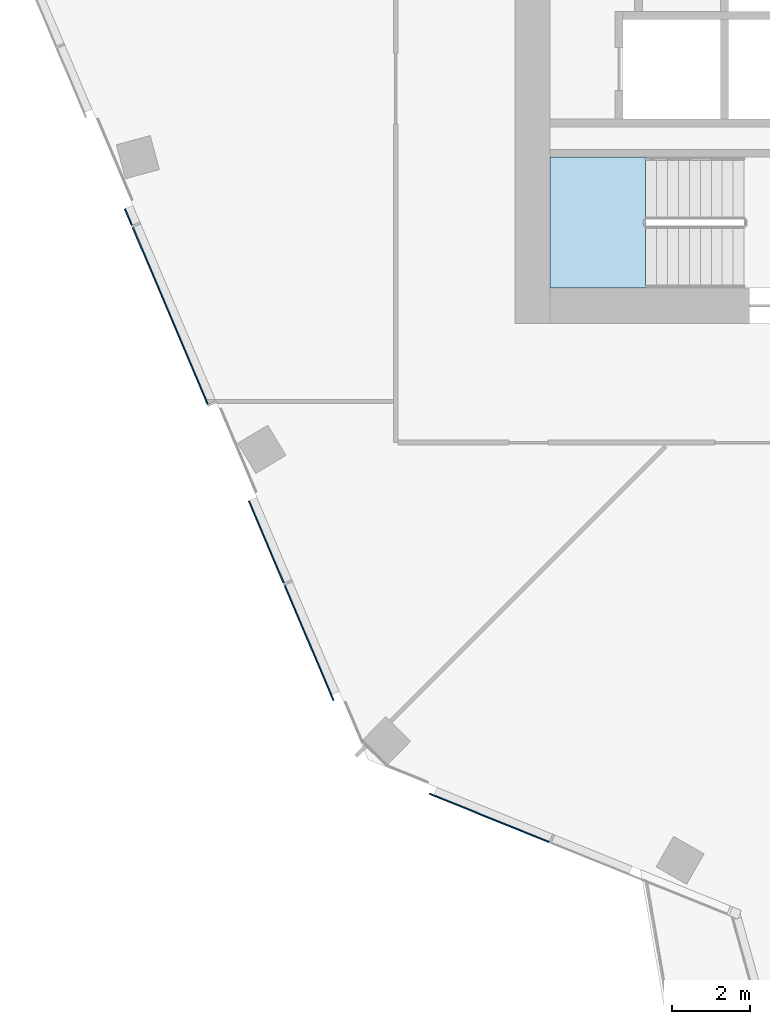
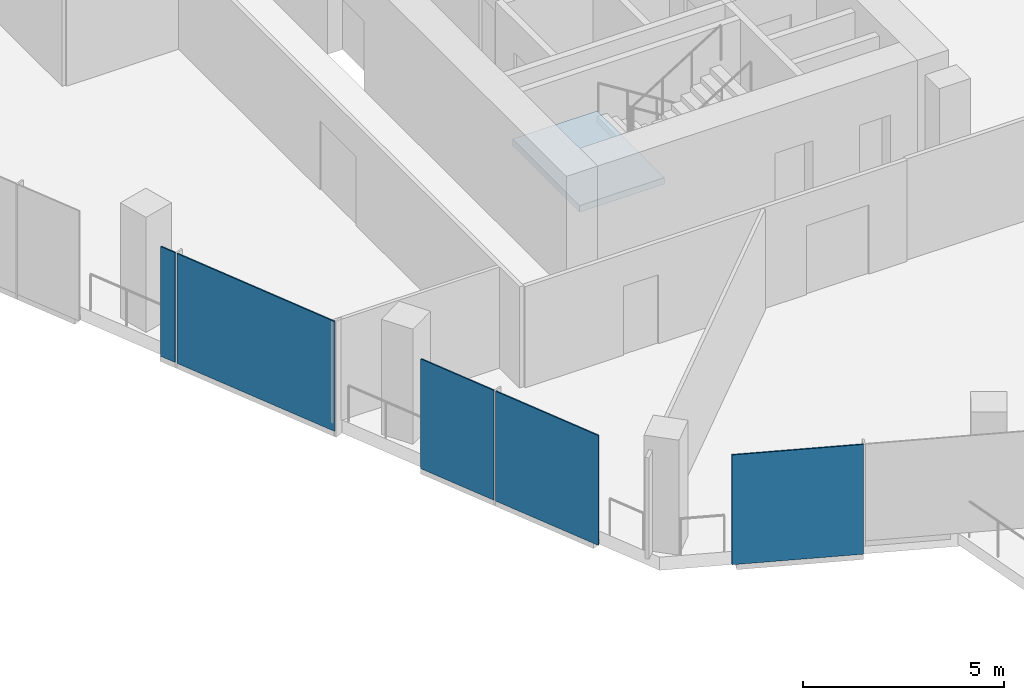
# One storey, part 12 of 26: 5 plates, 1 slab, 3 elements without a shape of their own.
"""IFC4 building model written with IfcOpenShell, lengths in metres."""

from ifc_helpers import new_model, si_unit, direction, frame, origin, origin_2d, place, context, subcontext, project, spatial, polyline, rectangle, outline, extrude, material, layer, layer_set, type_object, element, aggregate, save


model = new_model("IFC4")

# Units and contexts
model_context = context("Model", 3, precision=1e-05, world=origin(), true_north=direction((0.0, 1.0)))
body_context = subcontext(model_context, "Body", "Model", "MODEL_VIEW")
ifc_project = project(units=[si_unit("LENGTHUNIT", "METRE"), si_unit("AREAUNIT", "SQUARE_METRE"), si_unit("VOLUMEUNIT", "CUBIC_METRE"), si_unit("PLANEANGLEUNIT", "RADIAN"), si_unit("MASSUNIT", "GRAM", prefix="KILO")], contexts=[model_context])

# Site, building, storey
site_placement = place(None, origin())
site = spatial("IfcSite", under=ifc_project, at=site_placement, CompositionType="ELEMENT")
building_placement = place(site_placement, origin())
building = spatial("IfcBuilding", under=site, at=building_placement, Name="Orlundy Tower", CompositionType="ELEMENT")
storey_placement = place(building_placement, frame((0.0, 0.0, 275.39990234375)))
storey = spatial("IfcBuildingStorey", under=building, at=storey_placement, Name="L73", CompositionType="ELEMENT", Elevation=275.39990234375)

# Curtain wall, plate
ifc_material_1 = material(Name="Aluminium bronze anodised", Category="aluminium")
curtain_wall_type = type_object("IfcCurtainWallType", Name="CW6 wall", PredefinedType="NOTDEFINED", material=ifc_material_1)
curtain_wall_1_placement = place(storey_placement, origin())
curtain_wall_1 = element("IfcCurtainWall", 1, at=curtain_wall_1_placement, inside=storey, type_object=curtain_wall_type, Name="CW6 run 013", PredefinedType="NOTDEFINED")
ifc_material_2 = material(Name="Tinted glass", Category="glass")
ifc_layer_1 = layer(ifc_material_2, 0.035888671875)
ifc_layer_set_1 = layer_set([ifc_layer_1], Name="CW6 glass panel 36")
plate_type = type_object("IfcPlateType", Name="CW6 glass panel 36", PredefinedType="CURTAIN_PANEL", material=ifc_layer_set_1)
plate_1_placement = place(storey_placement, frame((-19.65478515625, -24.654541015625, -0.23974609375), z_axis=(0.0, 0.0, 1.0), x_axis=(-0.927218353808, 0.374521193474, 0.0)))
plate_1 = element("IfcPlate", 2, at=plate_1_placement, type_object=plate_type, Name="CW6 panel", PredefinedType="CURTAIN_PANEL", context=body_context, shape_type="SweptSolid", body=[
    extrude(rectangle(XDim=3.31005859375, YDim=0.035888671875, at=origin_2d()), origin(), (0.0, 0.0, 1.0), 3.340087890625),
])
aggregate(curtain_wall_1, [plate_1])

# Curtain wall, plates
curtain_wall_2_placement = place(storey_placement, origin())
curtain_wall_2 = element("IfcCurtainWall", 3, at=curtain_wall_2_placement, inside=storey, type_object=curtain_wall_type, Name="CW6 run 014", PredefinedType="NOTDEFINED")
plate_2_placement = place(storey_placement, frame((-24.269775390625, -20.17236328125, -0.23974609375), z_axis=(0.0, 0.0, 1.0), x_axis=(-0.390726531244, 0.920506804854, 0.0)))
plate_2 = element("IfcPlate", 4, at=plate_2_placement, type_object=plate_type, Name="CW6 panel", PredefinedType="CURTAIN_PANEL", context=body_context, shape_type="SweptSolid", body=[
    extrude(rectangle(XDim=3.20947265625, YDim=0.035888671875, at=origin_2d()), origin(), (0.0, 0.0, 1.0), 3.340087890625),
])
plate_3_placement = place(storey_placement, frame((-25.36181640625, -17.599365234375, -0.23974609375), z_axis=(0.0, 0.0, 1.0), x_axis=(-0.390726531244, 0.920506804854, 0.0)))
plate_3 = element("IfcPlate", 5, at=plate_3_placement, type_object=plate_type, Name="CW6 panel", PredefinedType="CURTAIN_PANEL", context=body_context, shape_type="SweptSolid", body=[
    extrude(rectangle(XDim=2.28076171875, YDim=0.035888671875, at=origin_2d()), origin(), (0.0, 0.0, 1.0), 3.340087890625),
])
plate_4_placement = place(storey_placement, frame((-27.81982421875, -11.808837890625, -0.23974609375), z_axis=(0.0, 0.0, 1.0), x_axis=(-0.390726531244, 0.920506804854, 0.0)))
plate_4 = element("IfcPlate", 6, at=plate_4_placement, type_object=plate_type, Name="CW6 panel", PredefinedType="CURTAIN_PANEL", context=body_context, shape_type="SweptSolid", body=[
    extrude(rectangle(XDim=4.920654296875, YDim=0.035888671875, at=origin_2d()), origin(), (0.0, 0.0, 1.0), 3.340087890625),
])
plate_5_placement = place(storey_placement, frame((-28.89013671875, -9.287353515625, -0.23974609375), z_axis=(0.0, 0.0, 1.0), x_axis=(-0.390726531244, 0.920506804854, 0.0)))
plate_5 = element("IfcPlate", 7, at=plate_5_placement, type_object=plate_type, Name="CW6 panel", PredefinedType="CURTAIN_PANEL", context=body_context, shape_type="SweptSolid", body=[
    extrude(rectangle(XDim=0.45751953125, YDim=0.035888671875, at=origin_2d()), origin(), (0.0, 0.0, 1.0), 3.340087890625),
])
aggregate(curtain_wall_2, [plate_2, plate_3, plate_4, plate_5])

# Stair, slab
ifc_material_3 = material(Name="Concrete C50/60", Category="concrete")
stair_type = type_object("IfcStairType", Name="Exit Stair 20 risers", PredefinedType="HALF_TURN_STAIR", material=ifc_material_3)
stair_placement = place(storey_placement, origin())
stair = element("IfcStair", 8, at=stair_placement, inside=storey, type_object=stair_type, Name="L73 Exit Stair ST-W2", PredefinedType="HALF_TURN_STAIR")
ifc_material_4 = material(Name="Concrete C50/60", Category="concrete")
ifc_layer_2 = layer(ifc_material_4, 0.199951171875)
ifc_layer_set_2 = layer_set([ifc_layer_2], Name="Exit Stair Landing")
slab_type = type_object("IfcSlabType", Name="Exit Stair Landing", PredefinedType="LANDING", material=ifc_layer_set_2)
slab_placement = place(storey_placement, frame((0.0, 0.0, 1.550048828125)))
slab = element("IfcSlab", 9, at=slab_placement, type_object=slab_type, Name="ST-W2 landing 1", PredefinedType="LANDING", context=body_context, shape_type="SweptSolid", body=[
    extrude(outline(polyline([(-15.659912109375, -7.75), (-18.10009765625, -7.75), (-18.10009765625, -11.10009765625), (-15.659912109375, -11.10009765625), (-15.659912109375, -7.75)])), origin(), (0.0, 0.0, 1.0), 0.199951171875),
])
aggregate(stair, [slab])

save(model, "model.ifc")
